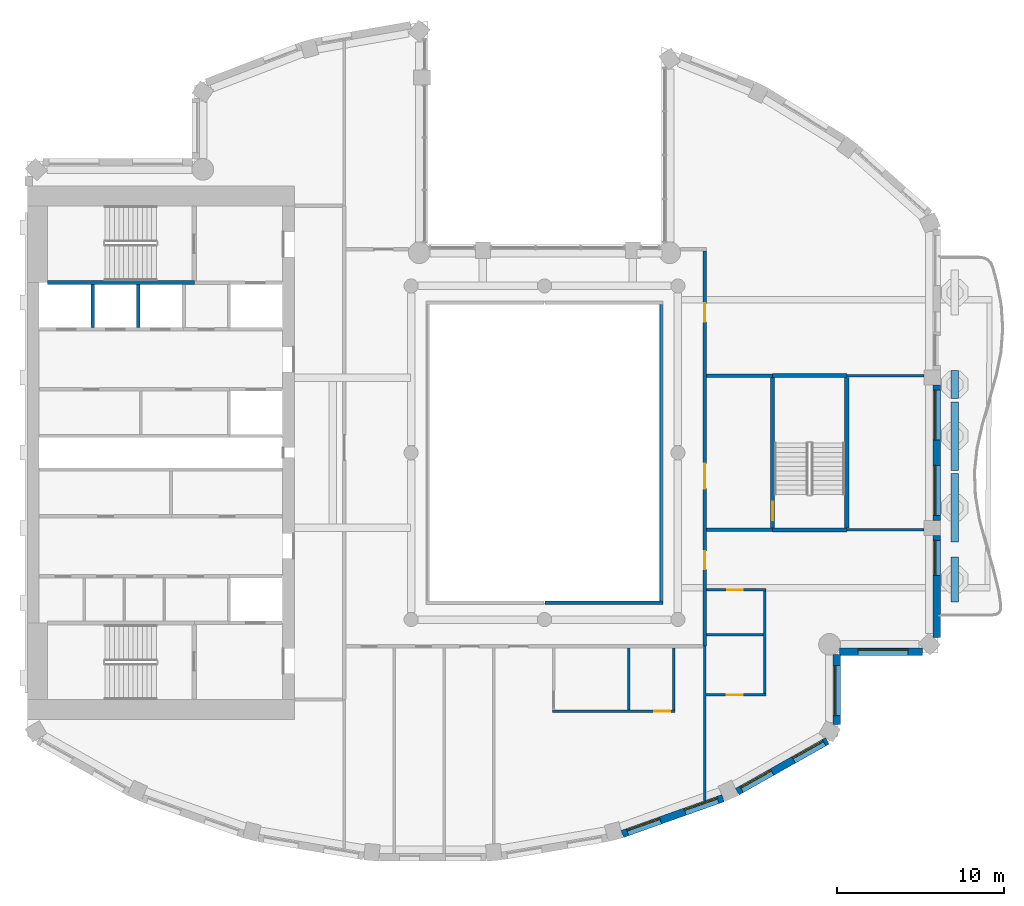
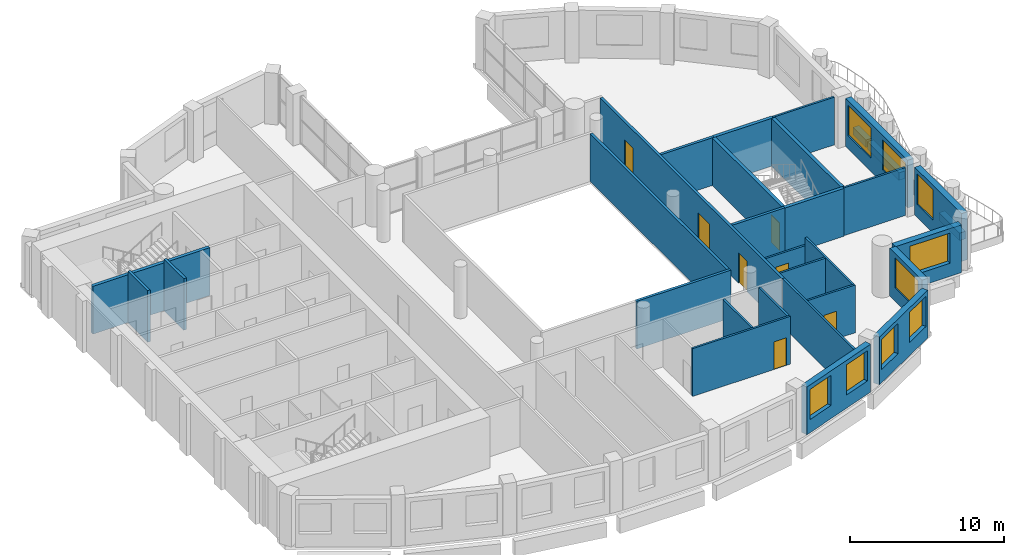
# One storey, part 6 of 14: 32 walls, 9 windows, 7 doors, 16 openings.
"""IFC4 building model written with IfcOpenShell, lengths in metres."""

from ifc_helpers import new_model, si_unit, direction, frame, frame_2d, origin, place, context, subcontext, project, spatial, rectangle, extrude, material, layer, layer_set, type_object, element, fill, save


model = new_model("IFC4")

# Units and contexts
model_context = context("Model", 3, precision=1e-05, world=origin(), true_north=direction((0.0, 1.0)))
body_context = subcontext(model_context, "Body", "Model", "MODEL_VIEW")
ifc_project = project(units=[si_unit("LENGTHUNIT", "METRE"), si_unit("AREAUNIT", "SQUARE_METRE"), si_unit("VOLUMEUNIT", "CUBIC_METRE"), si_unit("PLANEANGLEUNIT", "RADIAN"), si_unit("MASSUNIT", "GRAM", prefix="KILO")], contexts=[model_context])

# Site, building, storey
site_placement = place(None, origin())
site = spatial("IfcSite", under=ifc_project, at=site_placement, CompositionType="ELEMENT")
building_placement = place(site_placement, origin())
building = spatial("IfcBuilding", under=site, at=building_placement, Name="Cypress Arch Tower", CompositionType="ELEMENT")
storey_placement = place(building_placement, frame((0.0, 0.0, 247.5)))
storey = spatial("IfcBuildingStorey", under=building, at=storey_placement, Name="L55", CompositionType="ELEMENT", Elevation=247.5)

# Walls
ifc_material_1 = material(Name="Concrete C40/50, waterproofed", Category="concrete")
ifc_layer_1 = layer(ifc_material_1, 0.449951171875)
ifc_layer_set_1 = layer_set([ifc_layer_1], Name="Balcony planter wall PW450")
wall_type_1 = type_object("IfcWallType", Name="Balcony planter wall PW450", PredefinedType="SOLIDWALL", material=ifc_layer_set_1)
wall_1_placement = place(storey_placement, frame((25.60009765625, -8.949951171875, 0.0), z_axis=(0.0, 0.0, 1.0), x_axis=(0.0, 1.0, 0.0)))
element("IfcWall", 1, at=wall_1_placement, inside=storey, type_object=wall_type_1, Name="Balcony planter wall L55-C17.1", PredefinedType="SOLIDWALL", context=body_context, shape_type="SweptSolid", body=[
    extrude(rectangle(XDim=2.699951171875, YDim=0.449951171875, at=frame_2d((1.35009765625, 0.0))), origin(), (0.0, 0.0, 1.0), 0.60009765625),
])
for number, where, z_axis, x_axis, name in (
    (2, (25.60009765625, -5.35009765625, 0.0), (0.0, 0.0, 1.0), (0.0, 1.0, 0.0), "Balcony planter wall L55-C17.2"),
    (3, (25.60009765625, -1.050048828125, 0.0), (0.0, 0.0, 1.0), (0.0, 1.0, 0.0), "Balcony planter wall L55-C17.3"),
):
    element("IfcWall", number, at=place(storey_placement, frame(where, z_axis=z_axis, x_axis=x_axis)), inside=storey, type_object=wall_type_1, Name=name, PredefinedType="SOLIDWALL", context=body_context, shape_type="SweptSolid", body=[
        extrude(rectangle(XDim=4.10009765625, YDim=0.449951171875, at=frame_2d((2.050048828125, 0.0))), origin(), (0.0, 0.0, 1.0), 0.60009765625),
    ])
wall_2_placement = place(storey_placement, frame((25.60009765625, 3.25, 0.0), z_axis=(0.0, 0.0, 1.0), x_axis=(0.0, 1.0, 0.0)))
element("IfcWall", 4, at=wall_2_placement, inside=storey, type_object=wall_type_1, Name="Balcony planter wall L55-C17.4", PredefinedType="SOLIDWALL", context=body_context, shape_type="SweptSolid", body=[
    extrude(rectangle(XDim=1.69140625, YDim=0.449951171875, at=frame_2d((0.845703125, 0.0))), origin(), (0.0, 0.0, 1.0), 0.60009765625),
])

# Wall, openings, windows
ifc_material_2 = material(Name="Brick (red buff blend)", Category="masonry")
ifc_layer_2 = layer(ifc_material_2, 0.449951171875)
ifc_layer_set_2 = layer_set([ifc_layer_2], Name="Brick pier and spandrel wall BW450")
wall_type_2 = type_object("IfcWallType", Name="Brick pier and spandrel wall BW450", PredefinedType="SOLIDWALL", material=ifc_layer_set_2)
wall_3_placement = place(storey_placement, frame((5.66455078125, -22.859375, 0.0), z_axis=(0.0, 0.0, 1.0), x_axis=(0.942108340262, 0.335308626803, 0.0)))
wall_3 = element("IfcWall", 5, at=wall_3_placement, inside=storey, type_object=wall_type_2, Name="Brick wall L55 C13.0", PredefinedType="SOLIDWALL", context=body_context, shape_type="SweptSolid", body=[
    extrude(rectangle(XDim=6.41162109375, YDim=0.449951171875, at=frame_2d((3.205810546875, 0.0))), origin(), (0.0, 0.0, 1.0), 3.800048828125),
])
opening_1_placement = place(wall_3_placement, frame((0.3271484375, 0.0, 1.050048828125)))
opening_1 = element("IfcOpeningElement", 6, at=opening_1_placement, cuts=wall_3, Name="Opening W210O", PredefinedType="OPENING", context=body_context, shape_type="SweptSolid", body=[
    extrude(rectangle(XDim=2.10009765625, YDim=2.39990234375, at=frame_2d((1.050048828125, 1.199951171875))), frame((0.0, 0.23486328125, 0.0), z_axis=(0.0, -1.0, 0.0), x_axis=(1.0, 0.0, 0.0)), (0.0, 0.0, 1.0), 0.469970703125),
])
opening_2_placement = place(wall_3_placement, frame((3.984619140625, 0.0, 1.050048828125)))
opening_2 = element("IfcOpeningElement", 7, at=opening_2_placement, cuts=wall_3, Name="Opening W210O", PredefinedType="OPENING", context=body_context, shape_type="SweptSolid", body=[
    extrude(rectangle(XDim=2.10009765625, YDim=2.39990234375, at=frame_2d((1.050048828125, 1.199951171875))), frame((0.0, 0.23486328125, 0.0), z_axis=(0.0, -1.0, 0.0), x_axis=(1.0, 0.0, 0.0)), (0.0, 0.0, 1.0), 0.469970703125),
])
ifc_material_3 = material(Name="Anodised aluminium, bronze finish, clear low-emissivity double glazing", Category="aluminium")
window_type_1 = type_object("IfcWindowType", Name="Window Office 2100x2400", PartitioningType="SINGLE_PANEL", PredefinedType="WINDOW", material=ifc_material_3)
window_1_placement = place(opening_1_placement, origin())
window_1 = element("IfcWindow", 8, at=window_1_placement, inside=storey, type_object=window_type_1, Name="Window L55 C13.0.1", OverallHeight=2.39990234375, OverallWidth=2.10009765625, PartitioningType="SINGLE_PANEL", PredefinedType="WINDOW", context=body_context, shape_type="SweptSolid", body=[
    extrude(rectangle(XDim=2.10009765625, YDim=2.39990234375, at=frame_2d((1.050048828125, 1.199951171875))), frame((0.0, 0.135009765625, 0.0), z_axis=(0.0, -1.0, 0.0), x_axis=(1.0, 0.0, 0.0)), (0.0, 0.0, 1.0), 0.06005859375),
])
fill(opening_1, window_1)
window_2_placement = place(opening_2_placement, origin())
window_2 = element("IfcWindow", 9, at=window_2_placement, inside=storey, type_object=window_type_1, Name="Window L55 C13.0.2", OverallHeight=2.39990234375, OverallWidth=2.10009765625, PartitioningType="SINGLE_PANEL", PredefinedType="WINDOW", context=body_context, shape_type="SweptSolid", body=[
    extrude(rectangle(XDim=2.10009765625, YDim=2.39990234375, at=frame_2d((1.050048828125, 1.199951171875))), frame((0.0, 0.135009765625, 0.0), z_axis=(0.0, -1.0, 0.0), x_axis=(1.0, 0.0, 0.0)), (0.0, 0.0, 1.0), 0.06005859375),
])
fill(opening_2, window_2)

wall_4_placement = place(storey_placement, frame((12.55908203125, -20.320068359375, 0.0), z_axis=(0.0, 0.0, 1.0), x_axis=(0.871065783524, 0.491166367714, 0.0)))
wall_4 = element("IfcWall", 10, at=wall_4_placement, inside=storey, type_object=wall_type_2, Name="Brick wall L55 C14.0", PredefinedType="SOLIDWALL", context=body_context, shape_type="SweptSolid", body=[
    extrude(rectangle(XDim=6.1962890625, YDim=0.449951171875, at=frame_2d((3.09814453125, 0.0))), origin(), (0.0, 0.0, 1.0), 3.800048828125),
])
opening_3_placement = place(wall_4_placement, frame((0.29052734375, 0.0, 1.050048828125)))
opening_3 = element("IfcOpeningElement", 11, at=opening_3_placement, cuts=wall_4, Name="Opening W210O", PredefinedType="OPENING", context=body_context, shape_type="SweptSolid", body=[
    extrude(rectangle(XDim=2.10009765625, YDim=2.39990234375, at=frame_2d((1.050048828125, 1.199951171875))), frame((0.0, 0.23486328125, 0.0), z_axis=(0.0, -1.0, 0.0), x_axis=(1.0, 0.0, 0.0)), (0.0, 0.0, 1.0), 0.469970703125),
])
opening_4_placement = place(wall_4_placement, frame((3.875244140625, 0.0, 1.050048828125)))
opening_4 = element("IfcOpeningElement", 12, at=opening_4_placement, cuts=wall_4, Name="Opening W210O", PredefinedType="OPENING", context=body_context, shape_type="SweptSolid", body=[
    extrude(rectangle(XDim=2.10009765625, YDim=2.39990234375, at=frame_2d((1.050048828125, 1.199951171875))), frame((0.0, 0.23486328125, 0.0), z_axis=(0.0, -1.0, 0.0), x_axis=(1.0, 0.0, 0.0)), (0.0, 0.0, 1.0), 0.469970703125),
])
window_3_placement = place(opening_3_placement, origin())
window_3 = element("IfcWindow", 13, at=window_3_placement, inside=storey, type_object=window_type_1, Name="Window L55 C14.0.1", OverallHeight=2.39990234375, OverallWidth=2.10009765625, PartitioningType="SINGLE_PANEL", PredefinedType="WINDOW", context=body_context, shape_type="SweptSolid", body=[
    extrude(rectangle(XDim=2.10009765625, YDim=2.39990234375, at=frame_2d((1.050048828125, 1.199951171875))), frame((0.0, 0.135009765625, 0.0), z_axis=(0.0, -1.0, 0.0), x_axis=(1.0, 0.0, 0.0)), (0.0, 0.0, 1.0), 0.06005859375),
])
fill(opening_3, window_3)
window_4_placement = place(opening_4_placement, origin())
window_4 = element("IfcWindow", 14, at=window_4_placement, inside=storey, type_object=window_type_1, Name="Window L55 C14.0.2", OverallHeight=2.39990234375, OverallWidth=2.10009765625, PartitioningType="SINGLE_PANEL", PredefinedType="WINDOW", context=body_context, shape_type="SweptSolid", body=[
    extrude(rectangle(XDim=2.10009765625, YDim=2.39990234375, at=frame_2d((1.050048828125, 1.199951171875))), frame((0.0, 0.135009765625, 0.0), z_axis=(0.0, -1.0, 0.0), x_axis=(1.0, 0.0, 0.0)), (0.0, 0.0, 1.0), 0.06005859375),
])
fill(opening_4, window_4)

# Wall, opening, window
wall_5_placement = place(storey_placement, frame((18.52490234375, -16.3037109375, 0.0), z_axis=(0.0, 0.0, 1.0), x_axis=(0.0, 1.0, 0.0)))
wall_5 = element("IfcWall", 15, at=wall_5_placement, inside=storey, type_object=wall_type_2, Name="Brick wall L55 C15.0", PredefinedType="SOLIDWALL", context=body_context, shape_type="SweptSolid", body=[
    extrude(rectangle(XDim=4.2021484375, YDim=0.449951171875, at=frame_2d((2.10107421875, 0.0))), origin(), (0.0, 0.0, 1.0), 3.800048828125),
])
opening_5_placement = place(wall_5_placement, frame((0.541259765625, 0.0, 1.050048828125)))
opening_5 = element("IfcOpeningElement", 16, at=opening_5_placement, cuts=wall_5, Name="Opening W300O", PredefinedType="OPENING", context=body_context, shape_type="SweptSolid", body=[
    extrude(rectangle(XDim=3.0, YDim=2.39990234375, at=frame_2d((1.5, 1.199951171875))), frame((0.0, 0.23486328125, 0.0), z_axis=(0.0, -1.0, 0.0), x_axis=(1.0, 0.0, 0.0)), (0.0, 0.0, 1.0), 0.469970703125),
])
ifc_material_4 = material(Name="Anodised aluminium, bronze finish, clear low-emissivity double glazing", Category="aluminium")
window_type_2 = type_object("IfcWindowType", Name="Window Office 3000x2400", PartitioningType="SINGLE_PANEL", PredefinedType="WINDOW", material=ifc_material_4)
window_5_placement = place(opening_5_placement, origin())
window_5 = element("IfcWindow", 17, at=window_5_placement, inside=storey, type_object=window_type_2, Name="Window L55 C15.0.1", OverallHeight=2.39990234375, OverallWidth=3.0, PartitioningType="SINGLE_PANEL", PredefinedType="WINDOW", context=body_context, shape_type="SweptSolid", body=[
    extrude(rectangle(XDim=3.0, YDim=2.39990234375, at=frame_2d((1.5, 1.199951171875))), frame((0.0, 0.135009765625, 0.0), z_axis=(0.0, -1.0, 0.0), x_axis=(1.0, 0.0, 0.0)), (0.0, 0.0, 1.0), 0.06005859375),
])
fill(opening_5, window_5)

wall_6_placement = place(storey_placement, frame((18.701416015625, -11.925048828125, 0.0), z_axis=(0.0, 0.0, 1.0), x_axis=(1.0, 0.0, 0.0)))
wall_6 = element("IfcWall", 18, at=wall_6_placement, inside=storey, type_object=wall_type_2, Name="Brick wall L55 C16.0", PredefinedType="SOLIDWALL", context=body_context, shape_type="SweptSolid", body=[
    extrude(rectangle(XDim=4.962158203125, YDim=0.449951171875, at=frame_2d((2.48095703125, 0.0))), origin(), (0.0, 0.0, 1.0), 3.800048828125),
])
opening_6_placement = place(wall_6_placement, frame((1.098388671875, 0.0, 1.050048828125)))
opening_6 = element("IfcOpeningElement", 19, at=opening_6_placement, cuts=wall_6, Name="Opening W300O", PredefinedType="OPENING", context=body_context, shape_type="SweptSolid", body=[
    extrude(rectangle(XDim=3.0, YDim=2.39990234375, at=frame_2d((1.5, 1.199951171875))), frame((0.0, 0.23486328125, 0.0), z_axis=(0.0, -1.0, 0.0), x_axis=(1.0, 0.0, 0.0)), (0.0, 0.0, 1.0), 0.469970703125),
])
window_6_placement = place(opening_6_placement, origin())
window_6 = element("IfcWindow", 20, at=window_6_placement, inside=storey, type_object=window_type_2, Name="Window L55 C16.0.1", OverallHeight=2.39990234375, OverallWidth=3.0, PartitioningType="SINGLE_PANEL", PredefinedType="WINDOW", context=body_context, shape_type="SweptSolid", body=[
    extrude(rectangle(XDim=3.0, YDim=2.39990234375, at=frame_2d((1.5, 1.199951171875))), frame((0.0, 0.135009765625, 0.0), z_axis=(0.0, -1.0, 0.0), x_axis=(1.0, 0.0, 0.0)), (0.0, 0.0, 1.0), 0.06005859375),
])
fill(opening_6, window_6)

wall_7_placement = place(storey_placement, frame((24.52490234375, -11.063720703125, 0.0), z_axis=(0.0, 0.0, 1.0), x_axis=(0.0, 1.0, 0.0)))
wall_7 = element("IfcWall", 21, at=wall_7_placement, inside=storey, type_object=wall_type_2, Name="Brick wall L55 C17.0", PredefinedType="SOLIDWALL", context=body_context, shape_type="SweptSolid", body=[
    extrude(rectangle(XDim=6.11376953125, YDim=0.449951171875, at=frame_2d((3.056884765625, 0.0))), origin(), (0.0, 0.0, 1.0), 3.800048828125),
])
opening_7_placement = place(wall_7_placement, frame((3.713623046875, 0.0, 1.050048828125)))
opening_7 = element("IfcOpeningElement", 22, at=opening_7_placement, cuts=wall_7, Name="Opening W210OD", PredefinedType="OPENING", context=body_context, shape_type="SweptSolid", body=[
    extrude(rectangle(XDim=2.10009765625, YDim=2.39990234375, at=frame_2d((1.050048828125, 1.199951171875))), frame((0.0, 0.23486328125, 0.0), z_axis=(0.0, -1.0, 0.0), x_axis=(1.0, 0.0, 0.0)), (0.0, 0.0, 1.0), 0.469970703125),
])
ifc_material_5 = material(Name="Anodised aluminium, bronze finish, laminated low-emissivity double glazing, large-missile impact rated", Category="aluminium")
window_type_3 = type_object("IfcWindowType", Name="Window Office 2100x2400 debris-rated", PartitioningType="SINGLE_PANEL", PredefinedType="WINDOW", material=ifc_material_5)
window_7_placement = place(opening_7_placement, origin())
window_7 = element("IfcWindow", 23, at=window_7_placement, inside=storey, type_object=window_type_3, Name="Window L55 C17.0.2", OverallHeight=2.39990234375, OverallWidth=2.10009765625, PartitioningType="SINGLE_PANEL", PredefinedType="WINDOW", context=body_context, shape_type="SweptSolid", body=[
    extrude(rectangle(XDim=2.10009765625, YDim=2.39990234375, at=frame_2d((1.050048828125, 1.199951171875))), frame((0.0, 0.135009765625, 0.0), z_axis=(0.0, -1.0, 0.0), x_axis=(1.0, 0.0, 0.0)), (0.0, 0.0, 1.0), 0.06005859375),
])
fill(opening_7, window_7)

# Wall, openings, windows
wall_8_placement = place(storey_placement, frame((24.52490234375, -4.050048828125, 0.0), z_axis=(0.0, 0.0, 1.0), x_axis=(0.0, 1.0, 0.0)))
wall_8 = element("IfcWall", 24, at=wall_8_placement, inside=storey, type_object=wall_type_2, Name="Brick wall L55 C17.1", PredefinedType="SOLIDWALL", context=body_context, shape_type="SweptSolid", body=[
    extrude(rectangle(XDim=8.10009765625, YDim=0.449951171875, at=frame_2d((4.050048828125, 0.0))), origin(), (0.0, 0.0, 1.0), 3.800048828125),
])
opening_8_placement = place(wall_8_placement, frame((0.300048828125, 0.0, 1.050048828125)))
opening_8 = element("IfcOpeningElement", 25, at=opening_8_placement, cuts=wall_8, Name="Opening W300OD", PredefinedType="OPENING", context=body_context, shape_type="SweptSolid", body=[
    extrude(rectangle(XDim=3.0, YDim=2.39990234375, at=frame_2d((1.5, 1.199951171875))), frame((0.0, 0.23486328125, 0.0), z_axis=(0.0, -1.0, 0.0), x_axis=(1.0, 0.0, 0.0)), (0.0, 0.0, 1.0), 0.469970703125),
])
opening_9_placement = place(wall_8_placement, frame((4.800048828125, 0.0, 1.050048828125)))
opening_9 = element("IfcOpeningElement", 26, at=opening_9_placement, cuts=wall_8, Name="Opening W300OD", PredefinedType="OPENING", context=body_context, shape_type="SweptSolid", body=[
    extrude(rectangle(XDim=3.0, YDim=2.39990234375, at=frame_2d((1.5, 1.199951171875))), frame((0.0, 0.23486328125, 0.0), z_axis=(0.0, -1.0, 0.0), x_axis=(1.0, 0.0, 0.0)), (0.0, 0.0, 1.0), 0.469970703125),
])
ifc_material_6 = material(Name="Anodised aluminium, bronze finish, laminated low-emissivity double glazing, large-missile impact rated", Category="aluminium")
window_type_4 = type_object("IfcWindowType", Name="Window Office 3000x2400 debris-rated", PartitioningType="SINGLE_PANEL", PredefinedType="WINDOW", material=ifc_material_6)
window_8_placement = place(opening_8_placement, origin())
window_8 = element("IfcWindow", 27, at=window_8_placement, inside=storey, type_object=window_type_4, Name="Window L55 C17.1.1", OverallHeight=2.39990234375, OverallWidth=3.0, PartitioningType="SINGLE_PANEL", PredefinedType="WINDOW", context=body_context, shape_type="SweptSolid", body=[
    extrude(rectangle(XDim=3.0, YDim=2.39990234375, at=frame_2d((1.5, 1.199951171875))), frame((0.0, 0.135009765625, 0.0), z_axis=(0.0, -1.0, 0.0), x_axis=(1.0, 0.0, 0.0)), (0.0, 0.0, 1.0), 0.06005859375),
])
fill(opening_8, window_8)
window_9_placement = place(opening_9_placement, origin())
window_9 = element("IfcWindow", 28, at=window_9_placement, inside=storey, type_object=window_type_4, Name="Window L55 C17.1.2", OverallHeight=2.39990234375, OverallWidth=3.0, PartitioningType="SINGLE_PANEL", PredefinedType="WINDOW", context=body_context, shape_type="SweptSolid", body=[
    extrude(rectangle(XDim=3.0, YDim=2.39990234375, at=frame_2d((1.5, 1.199951171875))), frame((0.0, 0.135009765625, 0.0), z_axis=(0.0, -1.0, 0.0), x_axis=(1.0, 0.0, 0.0)), (0.0, 0.0, 1.0), 0.06005859375),
])
fill(opening_9, window_9)

# Walls
ifc_material_7 = material(Name="Concrete blockwork, plastered, rated", Category="masonry")
ifc_layer_3 = layer(ifc_material_7, 0.199951171875)
ifc_layer_set_3 = layer_set([ifc_layer_3], Name="Corridor wall FW200")
wall_type_3 = type_object("IfcWallType", Name="Corridor wall FW200", PredefinedType="PARTITIONING", material=ifc_layer_set_3)
wall_9_placement = place(storey_placement, frame((1.02001953125, -9.0, 0.0), z_axis=(0.0, 0.0, 1.0), x_axis=(1.0, 0.0, 0.0)))
element("IfcWall", 29, at=wall_9_placement, inside=storey, type_object=wall_type_3, Name="Corridor wall", PredefinedType="PARTITIONING", context=body_context, shape_type="SweptSolid", body=[
    extrude(rectangle(XDim=7.080078125, YDim=0.199951171875, at=frame_2d((3.5400390625, 0.0))), origin(), (0.0, 0.0, 1.0), 3.800048828125),
])
wall_10_placement = place(storey_placement, frame((8.0, -8.89990234375, 0.0), z_axis=(0.0, 0.0, 1.0), x_axis=(0.0, 1.0, 0.0)))
element("IfcWall", 30, at=wall_10_placement, inside=storey, type_object=wall_type_3, Name="Corridor wall", PredefinedType="PARTITIONING", context=body_context, shape_type="SweptSolid", body=[
    extrude(rectangle(XDim=17.7998046875, YDim=0.199951171875, at=frame_2d((8.89990234375, 0.0))), origin(), (0.0, 0.0, 1.0), 3.800048828125),
])

# Wall, openings, doors
wall_11_placement = place(storey_placement, frame((10.60009765625, -11.60009765625, 0.0), z_axis=(0.0, 0.0, 1.0), x_axis=(0.0, 1.0, 0.0)))
wall_11 = element("IfcWall", 31, at=wall_11_placement, inside=storey, type_object=wall_type_3, Name="Corridor wall", PredefinedType="PARTITIONING", context=body_context, shape_type="SweptSolid", body=[
    extrude(rectangle(XDim=23.7001953125, YDim=0.199951171875, at=frame_2d((11.85009765625, 0.0))), origin(), (0.0, 0.0, 1.0), 3.800048828125),
])
opening_10_placement = place(wall_11_placement, frame((9.449951171875, 0.0, 0.0)))
opening_10 = element("IfcOpeningElement", 32, at=opening_10_placement, cuts=wall_11, Name="Opening D07", PredefinedType="OPENING", context=body_context, shape_type="SweptSolid", body=[
    extrude(rectangle(XDim=1.5, YDim=2.39990234375, at=frame_2d((0.75, 1.199951171875))), frame((0.0, 0.10986328125, 0.0), z_axis=(0.0, -1.0, 0.0), x_axis=(1.0, 0.0, 0.0)), (0.0, 0.0, 1.0), 0.219970703125),
])
opening_11_placement = place(wall_11_placement, frame((19.449951171875, 0.0, 0.0)))
opening_11 = element("IfcOpeningElement", 33, at=opening_11_placement, cuts=wall_11, Name="Opening D01", PredefinedType="OPENING", context=body_context, shape_type="SweptSolid", body=[
    extrude(rectangle(XDim=1.10009765625, YDim=2.39990234375, at=frame_2d((0.550048828125, 1.199951171875))), frame((0.0, 0.10986328125, 0.0), z_axis=(0.0, -1.0, 0.0), x_axis=(1.0, 0.0, 0.0)), (0.0, 0.0, 1.0), 0.219970703125),
])
opening_12_placement = place(wall_11_placement, frame((4.60009765625, 0.0, 0.0)))
opening_12 = element("IfcOpeningElement", 34, at=opening_12_placement, cuts=wall_11, Name="Opening D01", PredefinedType="OPENING", context=body_context, shape_type="SweptSolid", body=[
    extrude(rectangle(XDim=1.10009765625, YDim=2.39990234375, at=frame_2d((0.550048828125, 1.199951171875))), frame((0.0, 0.10986328125, 0.0), z_axis=(0.0, -1.0, 0.0), x_axis=(1.0, 0.0, 0.0)), (0.0, 0.0, 1.0), 0.219970703125),
])
ifc_material_8 = material(Name="Steel framed glazed door, fire resisting", Category="steel")
door_type_1 = type_object("IfcDoorType", Name="Lobby door D07 1500x2400", OperationType="DOUBLE_DOOR_SINGLE_SWING", PredefinedType="DOOR", material=ifc_material_8)
door_1_placement = place(opening_10_placement, origin())
door_1 = element("IfcDoor", 35, at=door_1_placement, inside=storey, type_object=door_type_1, Name="Lobby door", OperationType="DOUBLE_DOOR_SINGLE_SWING", OverallHeight=2.39990234375, OverallWidth=1.5, PredefinedType="DOOR", context=body_context, shape_type="SweptSolid", body=[
    extrude(rectangle(XDim=1.5, YDim=2.39990234375, at=frame_2d((0.75, 1.199951171875))), frame((0.0, 0.02490234375, 0.0), z_axis=(0.0, -1.0, 0.0), x_axis=(1.0, 0.0, 0.0)), (0.0, 0.0, 1.0), 0.050048828125),
])
fill(opening_10, door_1)
ifc_material_9 = material(Name="Timber flush door, fire resisting, self-closing", Category="wood")
door_type_2 = type_object("IfcDoorType", Name="Unit entrance door D01 1100x2400", OperationType="SINGLE_SWING_LEFT", PredefinedType="DOOR", material=ifc_material_9)
door_2_placement = place(opening_11_placement, origin())
door_2 = element("IfcDoor", 36, at=door_2_placement, inside=storey, type_object=door_type_2, Name="Unit entrance door", OperationType="SINGLE_SWING_LEFT", OverallHeight=2.39990234375, OverallWidth=1.10009765625, PredefinedType="DOOR", context=body_context, shape_type="SweptSolid", body=[
    extrude(rectangle(XDim=1.10009765625, YDim=2.39990234375, at=frame_2d((0.550048828125, 1.199951171875))), frame((0.0, 0.02490234375, 0.0), z_axis=(0.0, -1.0, 0.0), x_axis=(1.0, 0.0, 0.0)), (0.0, 0.0, 1.0), 0.050048828125),
])
fill(opening_11, door_2)
door_3_placement = place(opening_12_placement, origin())
door_3 = element("IfcDoor", 37, at=door_3_placement, inside=storey, type_object=door_type_2, Name="Unit entrance door", OperationType="SINGLE_SWING_RIGHT", OverallHeight=2.39990234375, OverallWidth=1.10009765625, PredefinedType="DOOR", context=body_context, shape_type="SweptSolid", body=[
    extrude(rectangle(XDim=1.10009765625, YDim=2.39990234375, at=frame_2d((0.550048828125, 1.199951171875))), frame((0.0, 0.02490234375, 0.0), z_axis=(0.0, -1.0, 0.0), x_axis=(1.0, 0.0, 0.0)), (0.0, 0.0, 1.0), 0.050048828125),
])
fill(opening_12, door_3)

# Walls
for number, where, z_axis, x_axis, name in (
    (38, (10.699951171875, -4.625, 0.0), (0.0, 0.0, 1.0), (1.0, 0.0, 0.0), "Corridor wall"),
    (39, (10.699951171875, 4.625, 0.0), (0.0, 0.0, 1.0), (1.0, 0.0, 0.0), "Corridor wall"),
):
    element("IfcWall", number, at=place(storey_placement, frame(where, z_axis=z_axis, x_axis=x_axis)), inside=storey, type_object=wall_type_3, Name=name, PredefinedType="PARTITIONING", context=body_context, shape_type="SweptSolid", body=[
        extrude(rectangle(XDim=3.97509765625, YDim=0.199951171875, at=frame_2d((1.987548828125, 0.0))), origin(), (0.0, 0.0, 1.0), 3.800048828125),
    ])

# Wall, opening, door
ifc_material_10 = material(Name="Blockwork, plastered both sides", Category="masonry")
ifc_layer_4 = layer(ifc_material_10, 0.14990234375)
ifc_layer_set_4 = layer_set([ifc_layer_4], Name="Partition PW150")
wall_type_4 = type_object("IfcWallType", Name="Partition PW150", PredefinedType="PARTITIONING", material=ifc_layer_set_4)
wall_12_placement = place(storey_placement, frame((1.47900390625, -15.5, 0.0), z_axis=(0.0, 0.0, 1.0), x_axis=(1.0, 0.0, 0.0)))
wall_12 = element("IfcWall", 40, at=wall_12_placement, inside=storey, type_object=wall_type_4, Name="Partition", PredefinedType="PARTITIONING", context=body_context, shape_type="SweptSolid", body=[
    extrude(rectangle(XDim=7.35009765625, YDim=0.14990234375, at=frame_2d((3.675048828125, 0.0))), origin(), (0.0, 0.0, 1.0), 3.800048828125),
])
opening_13_placement = place(wall_12_placement, frame((6.10009765625, 0.0, 0.0)))
opening_13 = element("IfcOpeningElement", 41, at=opening_13_placement, cuts=wall_12, Name="Opening D12", PredefinedType="OPENING", context=body_context, shape_type="SweptSolid", body=[
    extrude(rectangle(XDim=0.949951171875, YDim=2.199951171875, at=frame_2d((0.47509765625, 1.10009765625))), frame((0.0, 0.0849609375, 0.0), z_axis=(0.0, -1.0, 0.0), x_axis=(1.0, 0.0, 0.0)), (0.0, 0.0, 1.0), 0.169921875),
])
ifc_material_11 = material(Name="Timber flush door", Category="wood")
door_type_3 = type_object("IfcDoorType", Name="Room door D12 950x2200", OperationType="SINGLE_SWING_LEFT", PredefinedType="DOOR", material=ifc_material_11)
door_4_placement = place(opening_13_placement, origin())
door_4 = element("IfcDoor", 42, at=door_4_placement, inside=storey, type_object=door_type_3, Name="Room door", OperationType="SINGLE_SWING_LEFT", OverallHeight=2.199951171875, OverallWidth=0.949951171875, PredefinedType="DOOR", context=body_context, shape_type="SweptSolid", body=[
    extrude(rectangle(XDim=0.949951171875, YDim=2.199951171875, at=frame_2d((0.47509765625, 1.10009765625))), frame((0.0, 0.02490234375, 0.0), z_axis=(0.0, -1.0, 0.0), x_axis=(1.0, 0.0, 0.0)), (0.0, 0.0, 1.0), 0.050048828125),
])
fill(opening_13, door_4)

# Walls
for number, where, z_axis, x_axis, name in (
    (43, (6.053955078125, -15.425048828125, 0.0), (0.0, 0.0, 1.0), (0.0, 1.0, 0.0), "Partition"),
    (44, (8.75390625, -15.425048828125, 0.0), (0.0, 0.0, 1.0), (0.0, 1.0, 0.0), "Partition"),
):
    element("IfcWall", number, at=place(storey_placement, frame(where, z_axis=z_axis, x_axis=x_axis)), inside=storey, type_object=wall_type_4, Name=name, PredefinedType="PARTITIONING", context=body_context, shape_type="SweptSolid", body=[
        extrude(rectangle(XDim=3.72509765625, YDim=0.14990234375, at=frame_2d((1.862548828125, 0.0))), origin(), (0.0, 0.0, 1.0), 3.800048828125),
    ])
wall_13_placement = place(storey_placement, frame((10.60009765625, -20.864013671875, 0.0), z_axis=(0.0, 0.0, 1.0), x_axis=(0.0, 1.0, 0.0)))
element("IfcWall", 45, at=wall_13_placement, inside=storey, type_object=wall_type_4, Name="Partition", PredefinedType="PARTITIONING", context=body_context, shape_type="SweptSolid", body=[
    extrude(rectangle(XDim=9.263916015625, YDim=0.14990234375, at=frame_2d((4.6318359375, 0.0))), origin(), (0.0, 0.0, 1.0), 3.800048828125),
])

# Wall, opening, door
wall_14_placement = place(storey_placement, frame((10.675048828125, -14.52490234375, 0.0), z_axis=(0.0, 0.0, 1.0), x_axis=(1.0, 0.0, 0.0)))
wall_14 = element("IfcWall", 46, at=wall_14_placement, inside=storey, type_object=wall_type_4, Name="Partition", PredefinedType="PARTITIONING", context=body_context, shape_type="SweptSolid", body=[
    extrude(rectangle(XDim=3.599853515625, YDim=0.14990234375, at=frame_2d((1.7998046875, 0.0))), origin(), (0.0, 0.0, 1.0), 3.800048828125),
])
opening_14_placement = place(wall_14_placement, frame((1.25, 0.0, 0.0)))
opening_14 = element("IfcOpeningElement", 47, at=opening_14_placement, cuts=wall_14, Name="Opening D12", PredefinedType="OPENING", context=body_context, shape_type="SweptSolid", body=[
    extrude(rectangle(XDim=0.949951171875, YDim=2.199951171875, at=frame_2d((0.47509765625, 1.10009765625))), frame((0.0, 0.0849609375, 0.0), z_axis=(0.0, -1.0, 0.0), x_axis=(1.0, 0.0, 0.0)), (0.0, 0.0, 1.0), 0.169921875),
])
door_5_placement = place(opening_14_placement, origin())
door_5 = element("IfcDoor", 48, at=door_5_placement, inside=storey, type_object=door_type_3, Name="Room door", OperationType="SINGLE_SWING_RIGHT", OverallHeight=2.199951171875, OverallWidth=0.949951171875, PredefinedType="DOOR", context=body_context, shape_type="SweptSolid", body=[
    extrude(rectangle(XDim=0.949951171875, YDim=2.199951171875, at=frame_2d((0.47509765625, 1.10009765625))), frame((0.0, 0.02490234375, 0.0), z_axis=(0.0, -1.0, 0.0), x_axis=(1.0, 0.0, 0.0)), (0.0, 0.0, 1.0), 0.050048828125),
])
fill(opening_14, door_5)

# Wall
wall_15_placement = place(storey_placement, frame((10.699951171875, -10.925048828125, 0.0), z_axis=(0.0, 0.0, 1.0), x_axis=(1.0, 0.0, 0.0)))
element("IfcWall", 49, at=wall_15_placement, inside=storey, type_object=wall_type_4, Name="Partition", PredefinedType="PARTITIONING", context=body_context, shape_type="SweptSolid", body=[
    extrude(rectangle(XDim=3.425048828125, YDim=0.14990234375, at=frame_2d((1.71240234375, 0.0))), origin(), (0.0, 0.0, 1.0), 3.800048828125),
])

# Wall, opening, door
wall_16_placement = place(storey_placement, frame((10.699951171875, -8.22509765625, 0.0), z_axis=(0.0, 0.0, 1.0), x_axis=(1.0, 0.0, 0.0)))
wall_16 = element("IfcWall", 50, at=wall_16_placement, inside=storey, type_object=wall_type_4, Name="Partition", PredefinedType="PARTITIONING", context=body_context, shape_type="SweptSolid", body=[
    extrude(rectangle(XDim=3.574951171875, YDim=0.14990234375, at=frame_2d((1.78759765625, 0.0))), origin(), (0.0, 0.0, 1.0), 3.14990234375),
])
opening_15_placement = place(wall_16_placement, frame((1.25, 0.0, 0.0)))
opening_15 = element("IfcOpeningElement", 51, at=opening_15_placement, cuts=wall_16, Name="Opening D12", PredefinedType="OPENING", context=body_context, shape_type="SweptSolid", body=[
    extrude(rectangle(XDim=0.949951171875, YDim=2.199951171875, at=frame_2d((0.47509765625, 1.10009765625))), frame((0.0, 0.0849609375, 0.0), z_axis=(0.0, -1.0, 0.0), x_axis=(1.0, 0.0, 0.0)), (0.0, 0.0, 1.0), 0.169921875),
])
door_6_placement = place(opening_15_placement, origin())
door_6 = element("IfcDoor", 52, at=door_6_placement, inside=storey, type_object=door_type_3, Name="Room door", OperationType="SINGLE_SWING_LEFT", OverallHeight=2.199951171875, OverallWidth=0.949951171875, PredefinedType="DOOR", context=body_context, shape_type="SweptSolid", body=[
    extrude(rectangle(XDim=0.949951171875, YDim=2.199951171875, at=frame_2d((0.47509765625, 1.10009765625))), frame((0.0, 0.02490234375, 0.0), z_axis=(0.0, -1.0, 0.0), x_axis=(1.0, 0.0, 0.0)), (0.0, 0.0, 1.0), 0.050048828125),
])
fill(opening_15, door_6)

# Walls
wall_17_placement = place(storey_placement, frame((14.199951171875, -14.449951171875, 0.0), z_axis=(0.0, 0.0, 1.0), x_axis=(0.0, 1.0, 0.0)))
element("IfcWall", 53, at=wall_17_placement, inside=storey, type_object=wall_type_4, Name="Partition", PredefinedType="PARTITIONING", context=body_context, shape_type="SweptSolid", body=[
    extrude(rectangle(XDim=6.14990234375, YDim=0.14990234375, at=frame_2d((3.074951171875, 0.0))), origin(), (0.0, 0.0, 1.0), 3.800048828125),
])
for number, where, z_axis, x_axis, name in (
    (54, (19.14501953125, -4.625, 0.0), (0.0, 0.0, 1.0), (1.0, 0.0, 0.0), "Partition"),
    (55, (19.14501953125, 4.625, 0.0), (0.0, 0.0, 1.0), (1.0, 0.0, 0.0), "Partition"),
):
    element("IfcWall", number, at=place(storey_placement, frame(where, z_axis=z_axis, x_axis=x_axis)), inside=storey, type_object=wall_type_4, Name=name, PredefinedType="PARTITIONING", context=body_context, shape_type="SweptSolid", body=[
        extrude(rectangle(XDim=4.60498046875, YDim=0.14990234375, at=frame_2d((2.302490234375, 0.0))), origin(), (0.0, 0.0, 1.0), 3.800048828125),
    ])
ifc_material_12 = material(Name="Concrete C50/60", Category="concrete")
ifc_layer_5 = layer(ifc_material_12, 0.199951171875)
ifc_layer_set_5 = layer_set([ifc_layer_5], Name="Shaft wall SH200")
wall_type_5 = type_object("IfcWallType", Name="Shaft wall SH200", PredefinedType="SHEAR", material=ifc_layer_set_5)
for number, where, z_axis, x_axis, name in (
    (56, (-26.080078125, 7.5, 0.0), (0.0, 0.0, 1.0), (0.0, 1.0, 0.0), "Shaft wall"),
    (57, (-23.360107421875, 7.5, 0.0), (0.0, 0.0, 1.0), (0.0, 1.0, 0.0), "Shaft wall"),
):
    element("IfcWall", number, at=place(storey_placement, frame(where, z_axis=z_axis, x_axis=x_axis)), inside=storey, type_object=wall_type_5, Name=name, PredefinedType="SHEAR", context=body_context, shape_type="SweptSolid", body=[
        extrude(rectangle(XDim=2.574951171875, YDim=0.199951171875, at=frame_2d((1.28759765625, 0.0))), origin(), (0.0, 0.0, 1.0), 4.10009765625),
    ])
ifc_material_13 = material(Name="Concrete C50/60", Category="concrete")
ifc_layer_6 = layer(ifc_material_13, 0.25)
ifc_layer_set_6 = layer_set([ifc_layer_6], Name="Stair enclosure wall SW250")
wall_type_6 = type_object("IfcWallType", Name="Stair enclosure wall SW250", PredefinedType="SHEAR", material=ifc_layer_set_6)
wall_18_placement = place(storey_placement, frame((-28.81005859375, 10.199951171875, 0.0), z_axis=(0.0, 0.0, 1.0), x_axis=(1.0, 0.0, 0.0)))
element("IfcWall", 58, at=wall_18_placement, inside=storey, type_object=wall_type_6, Name="Stair enclosure wall", PredefinedType="SHEAR", context=body_context, shape_type="SweptSolid", body=[
    extrude(rectangle(XDim=8.81005859375, YDim=0.25, at=frame_2d((4.405029296875, 0.0))), origin(), (0.0, 0.0, 1.0), 3.800048828125),
])

# Wall, opening, door
wall_19_placement = place(storey_placement, frame((14.675048828125, -4.5, 0.0), z_axis=(0.0, 0.0, 1.0), x_axis=(0.0, 1.0, 0.0)))
wall_19 = element("IfcWall", 59, at=wall_19_placement, inside=storey, type_object=wall_type_6, Name="Stair enclosure wall", PredefinedType="SHEAR", context=body_context, shape_type="SweptSolid", body=[
    extrude(rectangle(XDim=9.0, YDim=0.25, at=frame_2d((4.5, 0.0))), origin(), (0.0, 0.0, 1.0), 3.800048828125),
])
opening_16_placement = place(wall_19_placement, frame((0.449951171875, 0.0, 0.0)))
opening_16 = element("IfcOpeningElement", 60, at=opening_16_placement, cuts=wall_19, Name="Opening D06", PredefinedType="OPENING", context=body_context, shape_type="SweptSolid", body=[
    extrude(rectangle(XDim=1.10009765625, YDim=2.199951171875, at=frame_2d((0.550048828125, 1.10009765625))), frame((0.0, 0.135009765625, 0.0), z_axis=(0.0, -1.0, 0.0), x_axis=(1.0, 0.0, 0.0)), (0.0, 0.0, 1.0), 0.27001953125),
])
ifc_material_14 = material(Name="Steel door, fire resisting, panic bar", Category="steel")
door_type_4 = type_object("IfcDoorType", Name="Stair door D06 1100x2200", OperationType="SINGLE_SWING_LEFT", PredefinedType="DOOR", material=ifc_material_14)
door_7_placement = place(opening_16_placement, origin())
door_7 = element("IfcDoor", 61, at=door_7_placement, inside=storey, type_object=door_type_4, Name="Stair door", OperationType="SINGLE_SWING_RIGHT", OverallHeight=2.199951171875, OverallWidth=1.10009765625, PredefinedType="DOOR", context=body_context, shape_type="SweptSolid", body=[
    extrude(rectangle(XDim=1.10009765625, YDim=2.199951171875, at=frame_2d((0.550048828125, 1.10009765625))), frame((0.0, 0.02490234375, 0.0), z_axis=(0.0, -1.0, 0.0), x_axis=(1.0, 0.0, 0.0)), (0.0, 0.0, 1.0), 0.050048828125),
])
fill(opening_16, door_7)

# Walls
for number, where, z_axis, x_axis, name in (
    (62, (14.675048828125, -4.625, 0.0), (0.0, 0.0, 1.0), (1.0, 0.0, 0.0), "Stair enclosure wall"),
    (63, (14.675048828125, 4.625, 0.0), (0.0, 0.0, 1.0), (1.0, 0.0, 0.0), "Stair enclosure wall"),
):
    element("IfcWall", number, at=place(storey_placement, frame(where, z_axis=z_axis, x_axis=x_axis)), inside=storey, type_object=wall_type_6, Name=name, PredefinedType="SHEAR", context=body_context, shape_type="SweptSolid", body=[
        extrude(rectangle(XDim=4.449951171875, YDim=0.25, at=frame_2d((2.22509765625, 0.0))), origin(), (0.0, 0.0, 1.0), 3.800048828125),
    ])
wall_20_placement = place(storey_placement, frame((19.125, -4.5, 0.0), z_axis=(0.0, 0.0, 1.0), x_axis=(0.0, 1.0, 0.0)))
element("IfcWall", 64, at=wall_20_placement, inside=storey, type_object=wall_type_6, Name="Stair enclosure wall", PredefinedType="SHEAR", context=body_context, shape_type="SweptSolid", body=[
    extrude(rectangle(XDim=9.0, YDim=0.25, at=frame_2d((4.5, 0.0))), origin(), (0.0, 0.0, 1.0), 3.800048828125),
])

save(model, "model.ifc")
